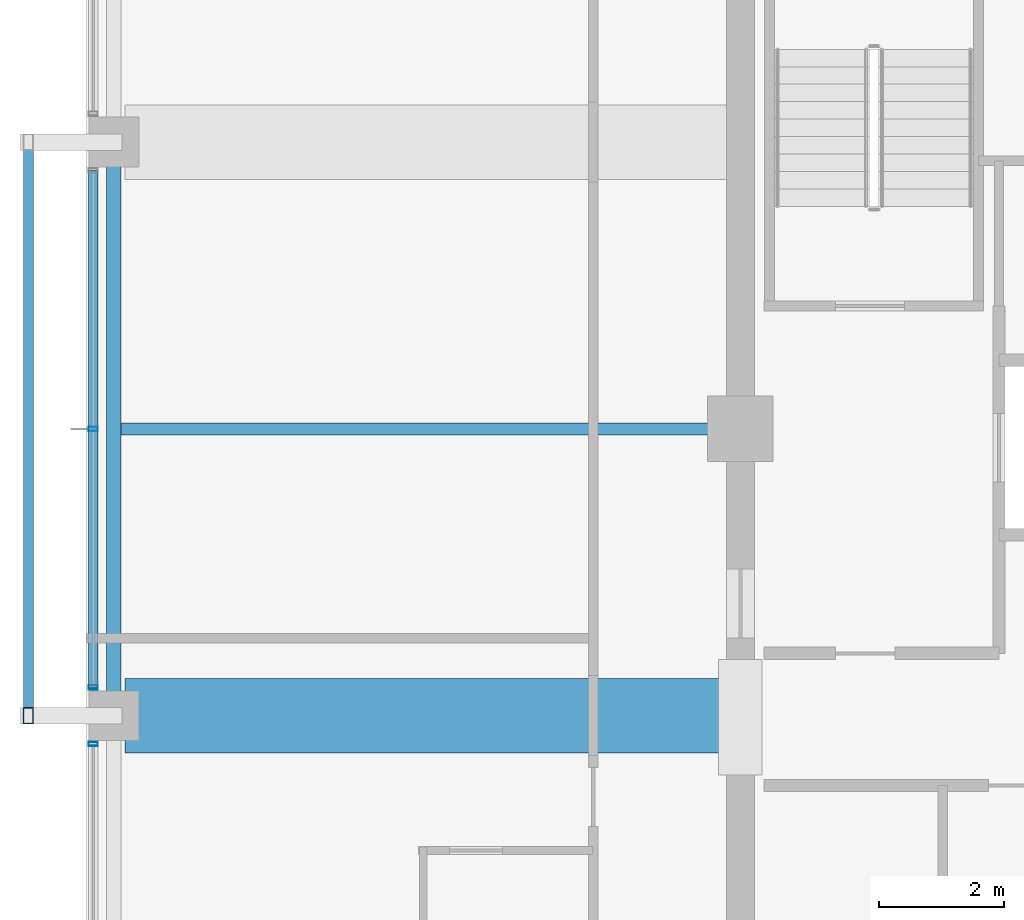
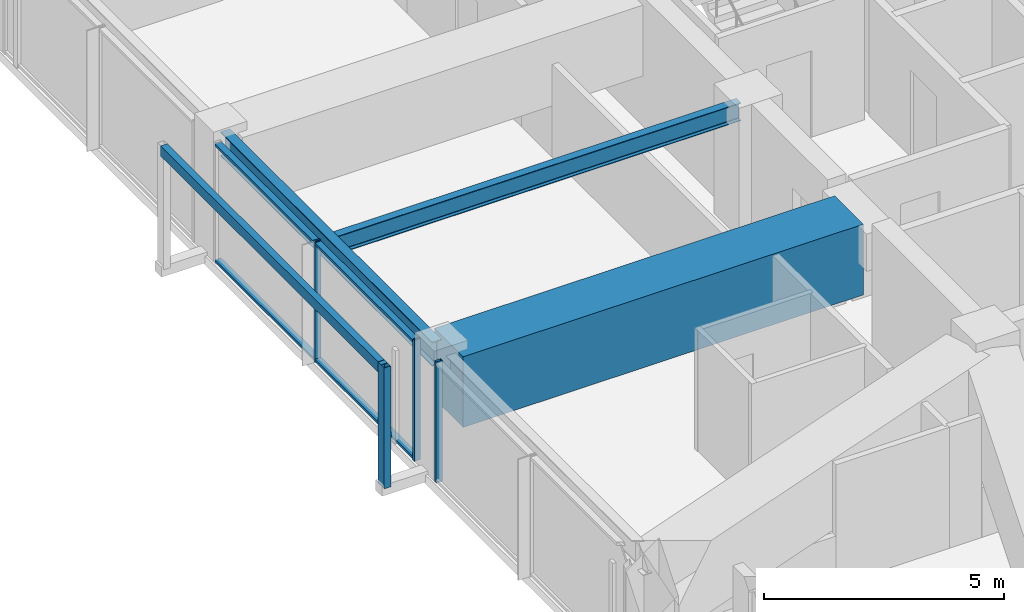
# One storey, part 8 of 37: 7 members, 3 beams, 2 elements without a shape of their own.
"""IFC4 building model written with IfcOpenShell, lengths in metres."""

from ifc_helpers import new_model, si_unit, direction, frame, origin, origin_2d, place, context, subcontext, project, spatial, rectangle, hollow_rectangle, i_section, extrude, material, material_profile, profile_set, type_object, element, aggregate, save


model = new_model("IFC4")

# Units and contexts
model_context = context("Model", 3, precision=1e-05, world=origin(), true_north=direction((0.0, 1.0)))
body_context = subcontext(model_context, "Body", "Model", "MODEL_VIEW")
ifc_project = project(units=[si_unit("LENGTHUNIT", "METRE"), si_unit("AREAUNIT", "SQUARE_METRE"), si_unit("VOLUMEUNIT", "CUBIC_METRE"), si_unit("PLANEANGLEUNIT", "RADIAN"), si_unit("MASSUNIT", "GRAM", prefix="KILO")], contexts=[model_context])

# Site, building, storey
site_placement = place(None, origin())
site = spatial("IfcSite", under=ifc_project, at=site_placement, CompositionType="ELEMENT")
building_placement = place(site_placement, origin())
building = spatial("IfcBuilding", under=site, at=building_placement, Name="Kolvaren Belvedere", CompositionType="ELEMENT")
storey_placement = place(building_placement, frame((0.0, 0.0, 219.60009765625)))
storey = spatial("IfcBuildingStorey", under=building, at=storey_placement, Name="L64", CompositionType="ELEMENT", Elevation=219.60009765625)

# Beams
ifc_material_1 = material(Name="Structural steel ASTM A992 Grade 50", Category="steel")
ifc_material_profile_1 = material_profile(ifc_material_1, i_section(OverallWidth=0.19091796875, OverallDepth=0.4599609375, WebThickness=0.010009765625, FlangeThickness=0.01611328125, FilletRadius=0.014892578125, at=origin_2d()), Name="W18X55")
ifc_profile_set_1 = profile_set([ifc_material_profile_1], Name="Structural steel ASTM A992 Grade 50")
beam_type_1 = type_object("IfcBeamType", Name="BM-JOIST-W18X55", PredefinedType="BEAM", material=ifc_profile_set_1)
beam_1_placement = place(storey_placement, frame((-10.125, 0.0, 2.849853515625), z_axis=(-1.0, 0.0, 0.0), x_axis=(0.0, -1.0, 0.0)))
element("IfcBeam", 1, at=beam_1_placement, inside=storey, type_object=beam_type_1, Name="L64 West Centre Floor Beam", PredefinedType="BEAM", context=body_context, shape_type="SweptSolid", body=[
    extrude(i_section(OverallWidth=0.19091796875, OverallDepth=0.4599609375, WebThickness=0.010009765625, FlangeThickness=0.01611328125, FilletRadius=0.014892578125, at=origin_2d()), origin(), (0.0, 0.0, 1.0), 9.71044921875),
])
ifc_material_2 = material(Name="Structural steel ASTM A992 Grade 50", Category="steel")
ifc_material_profile_2 = material_profile(ifc_material_2, i_section(OverallWidth=0.22900390625, OverallDepth=0.612060546875, WebThickness=0.011962890625, FlangeThickness=0.01953125, FilletRadius=0.01806640625, at=origin_2d()), Name="W24X84")
ifc_profile_set_2 = profile_set([ifc_material_profile_2], Name="Structural steel ASTM A992 Grade 50")
beam_type_2 = type_object("IfcBeamType", Name="BM-SPAN-W24X84", PredefinedType="SPANDREL", material=ifc_profile_set_2)
beam_2_placement = place(storey_placement, frame((-19.949951171875, 4.419921875, 2.77392578125), z_axis=(0.0, -1.0, 0.0), x_axis=(1.0, 0.0, 0.0)))
element("IfcBeam", 2, at=beam_2_placement, inside=storey, type_object=beam_type_2, Name="L64 Perimeter Spandrel W3-W2", PredefinedType="SPANDREL", context=body_context, shape_type="SweptSolid", body=[
    extrude(i_section(OverallWidth=0.22900390625, OverallDepth=0.612060546875, WebThickness=0.011962890625, FlangeThickness=0.01953125, FilletRadius=0.01806640625, at=origin_2d()), origin(), (0.0, 0.0, 1.0), 8.83984375),
])
ifc_material_3 = material(Name="Concrete C50/60", Category="concrete")
ifc_material_profile_3 = material_profile(ifc_material_3, rectangle(XDim=1.199951171875, YDim=1.800048828125, at=origin_2d()), Name="RC 1200X1800")
ifc_profile_set_3 = profile_set([ifc_material_profile_3], Name="Concrete C50/60")
beam_type_3 = type_object("IfcBeamType", Name="BM-TG-1800", PredefinedType="BEAM", material=ifc_profile_set_3)
beam_3_placement = place(storey_placement, frame((-10.125, -4.60009765625, 2.179931640625), z_axis=(-1.0, 0.0, 0.0), x_axis=(0.0, -1.0, 0.0)))
element("IfcBeam", 3, at=beam_3_placement, inside=storey, type_object=beam_type_3, Name="L64 West Radial Girder M", PredefinedType="BEAM", context=body_context, shape_type="SweptSolid", body=[
    extrude(rectangle(XDim=1.199951171875, YDim=1.800048828125, at=origin_2d()), origin(), (0.0, 0.0, 1.0), 9.64501953125),
])

# Curtain wall, member
ifc_material_4 = material(Name="Anodised pale-metal aluminium AA 6063-T6", Category="aluminium")
curtain_wall_type = type_object("IfcCurtainWallType", Name="CW-Z5-HIGH", PredefinedType="NOTDEFINED", material=ifc_material_4)
curtain_wall_1_placement = place(storey_placement, origin())
curtain_wall_1 = element("IfcCurtainWall", 4, at=curtain_wall_1_placement, inside=storey, type_object=curtain_wall_type, Name="L64 Unitised Curtain Wall FCW-L64-W-B1", PredefinedType="NOTDEFINED")
ifc_material_5 = material(Name="Anodised pale-metal aluminium AA 6063-T6", Category="aluminium")
ifc_material_profile_4 = material_profile(ifc_material_5, hollow_rectangle(XDim=0.070068359375, YDim=0.14990234375, WallThickness=0.004150390625, at=origin_2d()), Name="ALU-MUL-150X70")
ifc_profile_set_4 = profile_set([ifc_material_profile_4], Name="Anodised pale-metal aluminium AA 6063-T6")
member_type_1 = type_object("IfcMemberType", Name="CW-MUL-150", PredefinedType="MULLION", material=ifc_profile_set_4)
member_1_placement = place(storey_placement, frame((-20.280029296875, -5.054931640625, 0.0), z_axis=(0.0, 0.0, 1.0), x_axis=(0.0, 1.0, 0.0)))
member_1 = element("IfcMember", 5, at=member_1_placement, type_object=member_type_1, Name="FCW-L64-W-B1 Unitised Mullion 3", PredefinedType="MULLION", context=body_context, shape_type="SweptSolid", body=[
    extrude(hollow_rectangle(XDim=0.070068359375, YDim=0.14990234375, WallThickness=0.004150390625, at=origin_2d()), origin(), (0.0, 0.0, 1.0), 3.079833984375),
])
aggregate(curtain_wall_1, [member_1])

# Curtain wall, members
curtain_wall_2_placement = place(storey_placement, origin())
curtain_wall_2 = element("IfcCurtainWall", 6, at=curtain_wall_2_placement, inside=storey, type_object=curtain_wall_type, Name="L64 Unitised Curtain Wall FCW-L64-W-B2", PredefinedType="NOTDEFINED")
member_2_placement = place(storey_placement, frame((-20.280029296875, -4.14501953125, 0.0), z_axis=(0.0, 0.0, 1.0), x_axis=(0.0, 1.0, 0.0)))
member_2 = element("IfcMember", 7, at=member_2_placement, type_object=member_type_1, Name="FCW-L64-W-B2 Unitised Mullion 1", PredefinedType="MULLION", context=body_context, shape_type="SweptSolid", body=[
    extrude(hollow_rectangle(XDim=0.070068359375, YDim=0.14990234375, WallThickness=0.004150390625, at=origin_2d()), origin(), (0.0, 0.0, 1.0), 3.079833984375),
])
member_3_placement = place(storey_placement, frame((-20.280029296875, 0.0, 0.0), z_axis=(0.0, 0.0, 1.0), x_axis=(0.0, 1.0, 0.0)))
member_3 = element("IfcMember", 8, at=member_3_placement, type_object=member_type_1, Name="FCW-L64-W-B2 Unitised Mullion 2", PredefinedType="MULLION", context=body_context, shape_type="SweptSolid", body=[
    extrude(hollow_rectangle(XDim=0.070068359375, YDim=0.14990234375, WallThickness=0.004150390625, at=origin_2d()), origin(), (0.0, 0.0, 1.0), 3.079833984375),
])
ifc_material_6 = material(Name="Anodised pale-metal aluminium AA 6063-T6", Category="aluminium")
ifc_material_profile_5 = material_profile(ifc_material_6, hollow_rectangle(XDim=0.06494140625, YDim=0.14990234375, WallThickness=0.00390625, at=origin_2d()), Name="ALU-TRN-150X65")
ifc_profile_set_5 = profile_set([ifc_material_profile_5], Name="Anodised pale-metal aluminium AA 6063-T6")
member_type_2 = type_object("IfcMemberType", Name="CW-TRN-150", PredefinedType="USERDEFINED", material=ifc_profile_set_5)
member_4_placement = place(storey_placement, frame((-20.280029296875, -4.14501953125, 0.059814453125), z_axis=(0.0, 1.0, 0.0), x_axis=(0.0, 0.0, 1.0)))
member_4 = element("IfcMember", 9, at=member_4_placement, type_object=member_type_2, Name="FCW-L64-W-B2 Sill Transom", ObjectType="TRANSOM", PredefinedType="USERDEFINED", context=body_context, shape_type="SweptSolid", body=[
    extrude(hollow_rectangle(XDim=0.06494140625, YDim=0.14990234375, WallThickness=0.00390625, at=origin_2d()), origin(), (0.0, 0.0, 1.0), 8.2900390625),
])
member_5_placement = place(storey_placement, frame((-20.280029296875, -4.14501953125, 3.02001953125), z_axis=(0.0, 1.0, 0.0), x_axis=(0.0, 0.0, 1.0)))
member_5 = element("IfcMember", 10, at=member_5_placement, type_object=member_type_2, Name="FCW-L64-W-B2 Head Transom", ObjectType="TRANSOM", PredefinedType="USERDEFINED", context=body_context, shape_type="SweptSolid", body=[
    extrude(hollow_rectangle(XDim=0.06494140625, YDim=0.14990234375, WallThickness=0.00390625, at=origin_2d()), origin(), (0.0, 0.0, 1.0), 8.2900390625),
])
aggregate(curtain_wall_2, [member_2, member_3, member_4, member_5])

# Members
ifc_material_7 = material(Name="Anodised pale-metal aluminium AA 6063-T6", Category="aluminium")
ifc_material_profile_6 = material_profile(ifc_material_7, hollow_rectangle(XDim=0.159912109375, YDim=0.260009765625, WallThickness=0.006591796875, at=origin_2d()), Name="ALU-PF-260X160")
ifc_profile_set_6 = profile_set([ifc_material_profile_6], Name="Anodised pale-metal aluminium AA 6063-T6")
member_type_3 = type_object("IfcMemberType", Name="PF-FRAME-260", PredefinedType="USERDEFINED", material=ifc_profile_set_6)
member_6_placement = place(storey_placement, frame((-21.320068359375, -4.60009765625, 0.0), z_axis=(0.0, 0.0, 1.0), x_axis=(1.0, 0.0, 0.0)))
element("IfcMember", 11, at=member_6_placement, inside=storey, type_object=member_type_3, Name="L64 Outboard Picture-Frame Vertical W1", ObjectType="PICTURE FRAME FIN", PredefinedType="USERDEFINED", context=body_context, shape_type="SweptSolid", body=[
    extrude(hollow_rectangle(XDim=0.159912109375, YDim=0.260009765625, WallThickness=0.006591796875, at=origin_2d()), origin(), (0.0, 0.0, 1.0), 3.079833984375),
])
member_7_placement = place(storey_placement, frame((-21.320068359375, -4.60009765625, 2.949951171875), z_axis=(0.0, 1.0, 0.0), x_axis=(-1.0, 0.0, 0.0)))
element("IfcMember", 12, at=member_7_placement, inside=storey, type_object=member_type_3, Name="L64 Outboard Picture-Frame Head W", ObjectType="PICTURE FRAME FIN", PredefinedType="USERDEFINED", context=body_context, shape_type="SweptSolid", body=[
    extrude(hollow_rectangle(XDim=0.159912109375, YDim=0.260009765625, WallThickness=0.006591796875, at=origin_2d()), origin(), (0.0, 0.0, 1.0), 9.2001953125),
])

save(model, "model.ifc")
